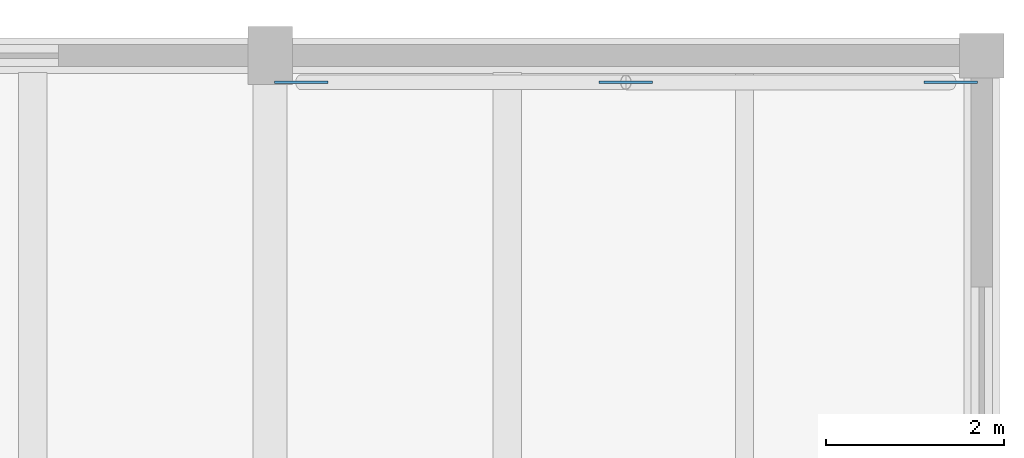
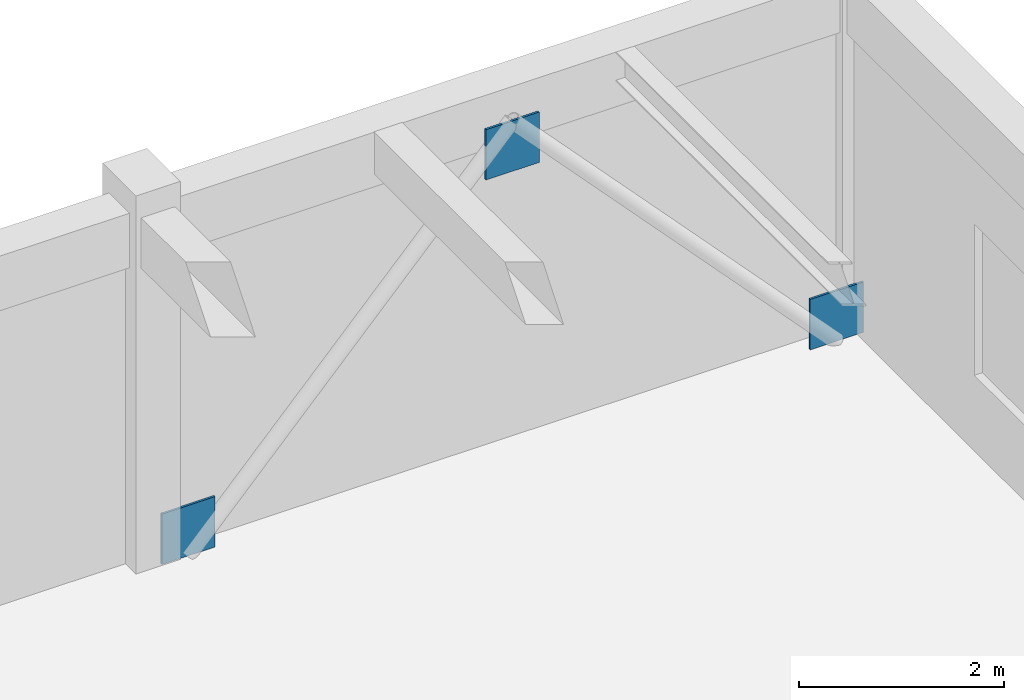
# One storey, part 52 of 79: 3 plates.
"""IFC4 building model written with IfcOpenShell, lengths in metres."""

from ifc_helpers import new_model, si_unit, direction, frame, origin, origin_2d, place, context, subcontext, project, spatial, rectangle, extrude, material, layer, layer_set, type_object, element, save


model = new_model("IFC4")

# Units and contexts
model_context = context("Model", 3, precision=1e-05, world=origin(), true_north=direction((0.0, 1.0)))
body_context = subcontext(model_context, "Body", "Model", "MODEL_VIEW")
ifc_project = project(units=[si_unit("LENGTHUNIT", "METRE"), si_unit("AREAUNIT", "SQUARE_METRE"), si_unit("VOLUMEUNIT", "CUBIC_METRE"), si_unit("PLANEANGLEUNIT", "RADIAN"), si_unit("MASSUNIT", "GRAM", prefix="KILO")], contexts=[model_context])

# Site, building, storey
site_placement = place(None, origin())
site = spatial("IfcSite", under=ifc_project, at=site_placement, CompositionType="ELEMENT")
building_placement = place(site_placement, origin())
building = spatial("IfcBuilding", under=site, at=building_placement, Name="Tlaxcora Railside Police Headquarters", CompositionType="ELEMENT")
storey_placement = place(building_placement, frame((0.0, 0.0, 9.0)))
storey = spatial("IfcBuildingStorey", under=building, at=storey_placement, Name="L02", CompositionType="ELEMENT", Elevation=9.0)

# Plates
ifc_material = material(Name="Steel ASTM A992 Grade 50", Category="steel")
ifc_layer = layer(ifc_material, 0.02490234375, Name="Steel ASTM A992 Grade 50")
ifc_layer_set = layer_set([ifc_layer], Name="Steel ASTM A992 Grade 50")
plate_type = type_object("IfcPlateType", Name="Structural Gusset or Cap Plate GP-22", PredefinedType="USERDEFINED", material=ifc_layer_set)
for number, where, z_axis, x_axis, name in (
    (1, (151.14990234375, 92.5, 0.0), (0.0, 0.0, 1.0), (1.0, 0.0, 0.0), "Chevron brace 7 gusset plate L"),
    (2, (158.449951171875, 92.5, 0.0), (0.0, 0.0, 1.0), (1.0, 0.0, 0.0), "Chevron brace 7 gusset plate R"),
    (3, (154.800048828125, 92.5, 3.300048828125), (0.0, 0.0, 1.0), (1.0, 0.0, 0.0), "Chevron brace 7 gusset plate APEX"),
):
    element("IfcPlate", number, at=place(storey_placement, frame(where, z_axis=z_axis, x_axis=x_axis)), inside=storey, type_object=plate_type, Name=name, ObjectType="GUSSET PLATE", PredefinedType="USERDEFINED", context=body_context, shape_type="SweptSolid", body=[
        extrude(rectangle(XDim=0.60009765625, YDim=0.02490234375, at=origin_2d()), origin(), (0.0, 0.0, 1.0), 0.60009765625),
    ])

save(model, "model.ifc")
